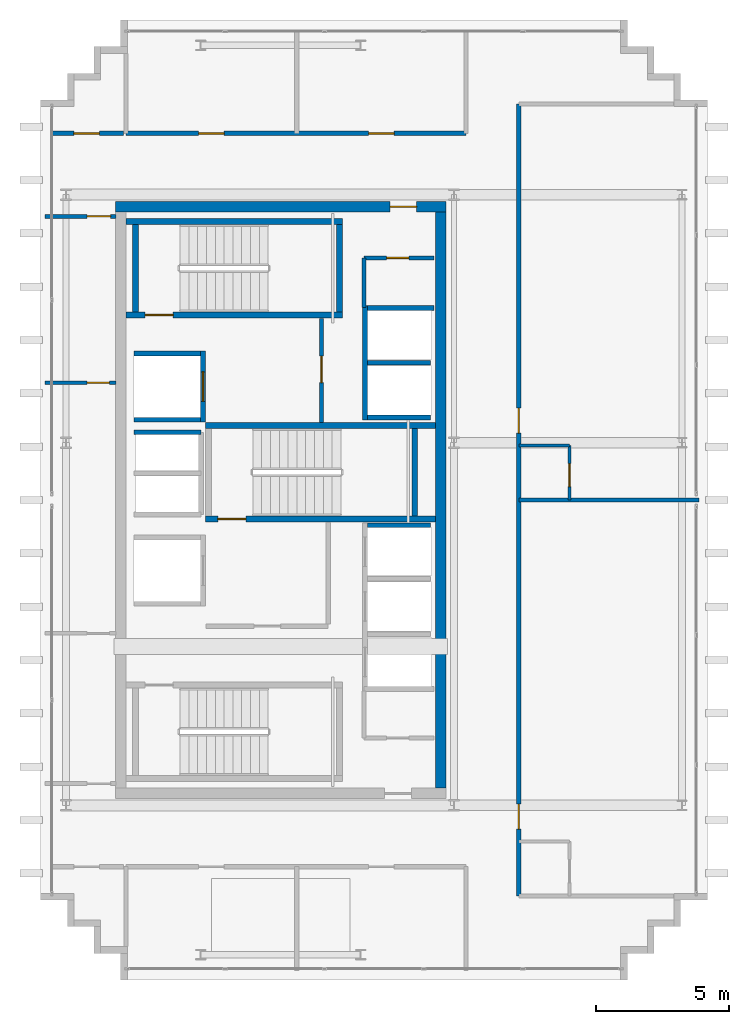
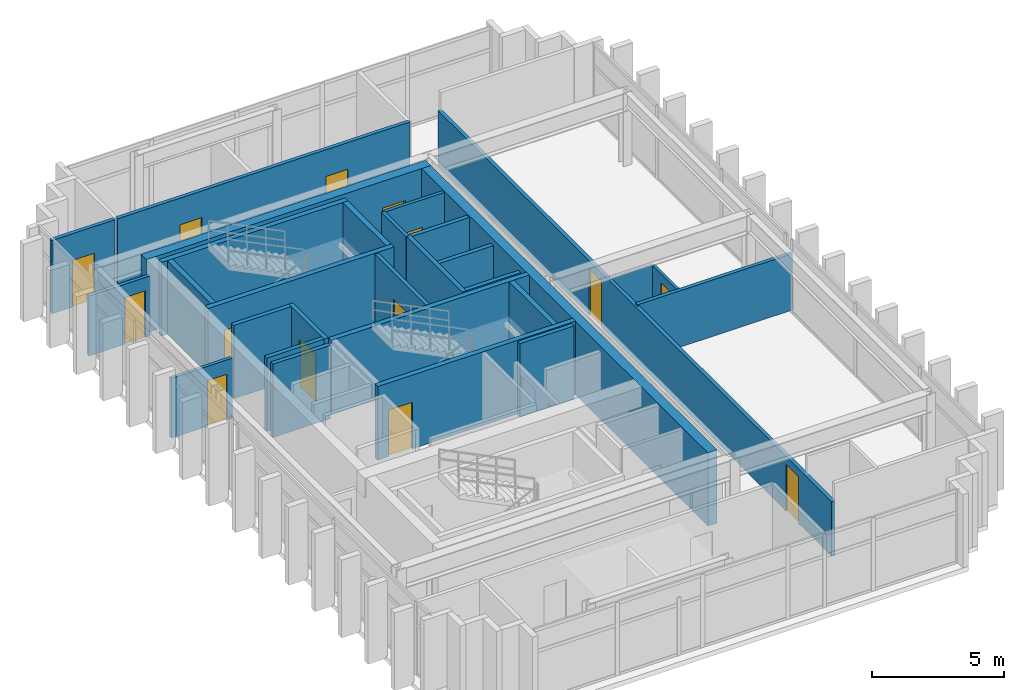
# One storey, part 13 of 15: 29 walls, 14 doors, 14 openings.
"""IFC4 building model written with IfcOpenShell, lengths in metres."""

from ifc_helpers import new_model, si_unit, direction, frame, frame_2d, origin, place, context, subcontext, project, spatial, rectangle, extrude, source, transform, mapped, material, layer, layer_set, type_object, element, fill, save


model = new_model("IFC4")

# Units and contexts
model_context = context("Model", 3, precision=1e-05, world=origin(), true_north=direction((0.0, 1.0)))
body_context = subcontext(model_context, "Body", "Model", "MODEL_VIEW")
ifc_project = project(units=[si_unit("LENGTHUNIT", "METRE"), si_unit("AREAUNIT", "SQUARE_METRE"), si_unit("VOLUMEUNIT", "CUBIC_METRE"), si_unit("PLANEANGLEUNIT", "RADIAN"), si_unit("MASSUNIT", "GRAM", prefix="KILO")], contexts=[model_context])

# Site, building, storey
site_placement = place(None, origin())
site = spatial("IfcSite", under=ifc_project, at=site_placement, CompositionType="ELEMENT")
building_placement = place(site_placement, origin())
building = spatial("IfcBuilding", under=site, at=building_placement, Name="Ocotamira Hotel", CompositionType="ELEMENT")
storey_placement = place(building_placement, frame((0.0, 0.0, 294.0)))
storey = spatial("IfcBuildingStorey", under=building, at=storey_placement, Name="L75", CompositionType="ELEMENT", Elevation=294.0)

# Wall, opening, door
ifc_material_1 = material(Name="Concrete C50/60", Category="concrete")
ifc_layer_1 = layer(ifc_material_1, 0.39990234375)
ifc_layer_set_1 = layer_set([ifc_layer_1], Name="Concrete C50/60")
wall_type_1 = type_object("IfcWallType", Name="WL-CORE-400", PredefinedType="SHEAR", material=ifc_layer_set_1)
wall_1_placement = place(storey_placement, frame((10.800048828125, 37.0, 0.0), z_axis=(0.0, 0.0, 1.0), x_axis=(1.0, 0.0, 0.0)))
wall_1 = element("IfcWall", 1, at=wall_1_placement, inside=storey, type_object=wall_type_1, Name="L75 Shear Core Wall WCORE-N", PredefinedType="SHEAR", context=body_context, shape_type="SweptSolid", body=[
    extrude(rectangle(XDim=12.39990234375, YDim=0.39990234375, at=frame_2d((6.199951171875, 0.0))), origin(), (0.0, 0.0, 1.0), 3.3798828125),
])
opening_1_placement = place(wall_1_placement, frame((10.300048828125, 0.0, 0.0)))
opening_1 = element("IfcOpeningElement", 2, at=opening_1_placement, cuts=wall_1, Name="Opening D-FR2", PredefinedType="OPENING", context=body_context, shape_type="SweptSolid", body=[
    extrude(rectangle(XDim=1.0, YDim=2.14990234375, at=frame_2d((0.5, 1.074951171875))), frame((0.0, 0.2099609375, 0.0), z_axis=(0.0, -1.0, 0.0), x_axis=(1.0, 0.0, 0.0)), (0.0, 0.0, 1.0), 0.419921875),
])
ifc_material_2 = material(Name="Fire-rated acoustic timber-veneer door", Category="wood")
door_type_1 = type_object("IfcDoorType", Name="DR-FIRE-1000", OperationType="NOTDEFINED", PredefinedType="DOOR", material=ifc_material_2)
shared_shape_1 = source(origin(), body_context, "Body", "SweptSolid", [
    extrude(rectangle(XDim=1.0, YDim=2.14990234375, at=frame_2d((0.5, 1.074951171875))), frame((0.0, 0.02490234375, 0.0), z_axis=(0.0, -1.0, 0.0), x_axis=(1.0, 0.0, 0.0)), (0.0, 0.0, 1.0), 0.050048828125),
])
door_1_placement = place(opening_1_placement, origin())
door_1 = element("IfcDoor", 3, at=door_1_placement, inside=storey, type_object=door_type_1, Name="L75 Door ID-L75-WLOB-N-D [ID-L75-WLOB-N-D]", OperationType="SINGLE_SWING_RIGHT", OverallHeight=2.14990234375, OverallWidth=1.0, PredefinedType="DOOR", context=body_context, shape_type="MappedRepresentation", body=[
    mapped(shared_shape_1, transform((0.0, 0.0, 0.0), scale=1.0)),
])
fill(opening_1, door_1)

# Wall
wall_2_placement = place(storey_placement, frame((23.0, 15.199951171875, 0.0), z_axis=(0.0, 0.0, 1.0), x_axis=(0.0, 1.0, 0.0)))
element("IfcWall", 4, at=wall_2_placement, inside=storey, type_object=wall_type_1, Name="L75 Shear Core Wall WCORE-E", PredefinedType="SHEAR", context=body_context, shape_type="SweptSolid", body=[
    extrude(rectangle(XDim=21.60009765625, YDim=0.39990234375, at=frame_2d((10.800048828125, 0.0))), origin(), (0.0, 0.0, 1.0), 3.3798828125),
])

# Wall, opening, door
ifc_material_3 = material(Name="Acoustic double-layer fire gypsum board partition", Category="gypsum")
ifc_layer_2 = layer(ifc_material_3, 0.159912109375)
ifc_layer_set_2 = layer_set([ifc_layer_2], Name="Acoustic double-layer fire gypsum board partition")
wall_type_2 = type_object("IfcWallType", Name="WL-FIRE-160", PredefinedType="PARTITIONING", material=ifc_layer_set_2)
wall_3_placement = place(storey_placement, frame((18.530029296875, 28.89990234375, 0.0), z_axis=(0.0, 0.0, 1.0), x_axis=(0.0, 1.0, 0.0)))
wall_3 = element("IfcWall", 5, at=wall_3_placement, inside=storey, type_object=wall_type_2, Name="L75 Interior Wall PW-L75-FSAE2-E", PredefinedType="PARTITIONING", context=body_context, shape_type="SweptSolid", body=[
    extrude(rectangle(XDim=3.900146484375, YDim=0.159912109375, at=frame_2d((1.9501953125, 0.0))), origin(), (0.0, 0.0, 1.0), 3.3798828125),
])
opening_2_placement = place(wall_3_placement, frame((1.5, 0.0, 0.0)))
opening_2 = element("IfcOpeningElement", 6, at=opening_2_placement, cuts=wall_3, Name="Opening D-FR2", PredefinedType="OPENING", context=body_context, shape_type="SweptSolid", body=[
    extrude(rectangle(XDim=1.0, YDim=2.14990234375, at=frame_2d((0.5, 1.074951171875))), frame((0.0, 0.08984375, 0.0), z_axis=(0.0, -1.0, 0.0), x_axis=(1.0, 0.0, 0.0)), (0.0, 0.0, 1.0), 0.179931640625),
])
door_2_placement = place(opening_2_placement, origin())
door_2 = element("IfcDoor", 7, at=door_2_placement, inside=storey, type_object=door_type_1, Name="L75 Door ID-L75-FSAE2-D [ID-L75-FSAE2-D]", OperationType="SINGLE_SWING_RIGHT", OverallHeight=2.14990234375, OverallWidth=1.0, PredefinedType="DOOR", context=body_context, shape_type="MappedRepresentation", body=[
    mapped(shared_shape_1, transform((0.0, 0.0, 0.0), scale=1.0)),
])
fill(opening_2, door_2)

# Wall, openings, doors
wall_4_placement = place(storey_placement, frame((11.199951171875, 39.75, 0.0), z_axis=(0.0, 0.0, 1.0), x_axis=(1.0, 0.0, 0.0)))
wall_4 = element("IfcWall", 8, at=wall_4_placement, inside=storey, type_object=wall_type_2, Name="L75 Interior Wall PW-L75-WP2N-CORRW", PredefinedType="PARTITIONING", context=body_context, shape_type="SweptSolid", body=[
    extrude(rectangle(XDim=12.75, YDim=0.159912109375, at=frame_2d((6.375, 0.0))), origin(), (0.0, 0.0, 1.0), 3.3798828125),
])
opening_3_placement = place(wall_4_placement, frame((2.719970703125, 0.0, 0.0)))
opening_3 = element("IfcOpeningElement", 9, at=opening_3_placement, cuts=wall_4, Name="Opening D-SV4", PredefinedType="OPENING", context=body_context, shape_type="SweptSolid", body=[
    extrude(rectangle(XDim=0.9599609375, YDim=2.14990234375, at=frame_2d((0.47998046875, 1.074951171875))), frame((0.0, 0.08984375, 0.0), z_axis=(0.0, -1.0, 0.0), x_axis=(1.0, 0.0, 0.0)), (0.0, 0.0, 1.0), 0.179931640625),
])
opening_4_placement = place(wall_4_placement, frame((9.094970703125, 0.0, 0.0)))
opening_4 = element("IfcOpeningElement", 10, at=opening_4_placement, cuts=wall_4, Name="Opening D-SV4", PredefinedType="OPENING", context=body_context, shape_type="SweptSolid", body=[
    extrude(rectangle(XDim=0.9599609375, YDim=2.14990234375, at=frame_2d((0.47998046875, 1.074951171875))), frame((0.0, 0.08984375, 0.0), z_axis=(0.0, -1.0, 0.0), x_axis=(1.0, 0.0, 0.0)), (0.0, 0.0, 1.0), 0.179931640625),
])
ifc_material_4 = material(Name="Fire-rated accessible walnut salon door", Category="wood")
door_type_2 = type_object("IfcDoorType", Name="DR-SERV-960", OperationType="NOTDEFINED", PredefinedType="DOOR", material=ifc_material_4)
shared_shape_2 = source(origin(), body_context, "Body", "SweptSolid", [
    extrude(rectangle(XDim=0.9599609375, YDim=2.14990234375, at=frame_2d((0.47998046875, 1.074951171875))), frame((0.0, 0.02490234375, 0.0), z_axis=(0.0, -1.0, 0.0), x_axis=(1.0, 0.0, 0.0)), (0.0, 0.0, 1.0), 0.050048828125),
])
door_3_placement = place(opening_3_placement, origin())
door_3 = element("IfcDoor", 11, at=door_3_placement, inside=storey, type_object=door_type_2, Name="L75 Door ID-L75-WP2N-AMD1 [ID-L75-WP2N-AMD1]", OperationType="SINGLE_SWING_LEFT", OverallHeight=2.14990234375, OverallWidth=0.9599609375, PredefinedType="DOOR", context=body_context, shape_type="MappedRepresentation", body=[
    mapped(shared_shape_2, transform((0.0, 0.0, 0.0), scale=1.0)),
])
fill(opening_3, door_3)
door_4_placement = place(opening_4_placement, origin())
door_4 = element("IfcDoor", 12, at=door_4_placement, inside=storey, type_object=door_type_2, Name="L75 Door ID-L75-WP2N-AMD2 [ID-L75-WP2N-AMD2]", OperationType="SINGLE_SWING_RIGHT", OverallHeight=2.14990234375, OverallWidth=0.9599609375, PredefinedType="DOOR", context=body_context, shape_type="MappedRepresentation", body=[
    mapped(shared_shape_2, transform((0.0, 0.0, 0.0), scale=1.0)),
])
fill(opening_4, door_4)

wall_5_placement = place(storey_placement, frame((25.929931640625, 11.14990234375, 0.0), z_axis=(0.0, 0.0, 1.0), x_axis=(0.0, 1.0, 0.0)))
wall_5 = element("IfcWall", 13, at=wall_5_placement, inside=storey, type_object=wall_type_2, Name="L75 Interior Wall PW-L75-WP-EASTW-FULL", PredefinedType="PARTITIONING", context=body_context, shape_type="SweptSolid", body=[
    extrude(rectangle(XDim=29.7001953125, YDim=0.159912109375, at=frame_2d((14.85009765625, 0.0))), origin(), (0.0, 0.0, 1.0), 2.52392578125),
])
opening_5_placement = place(wall_5_placement, frame((2.510009765625, 0.0, 0.0)))
opening_5 = element("IfcOpeningElement", 14, at=opening_5_placement, cuts=wall_5, Name="Opening D-GR1", PredefinedType="OPENING", context=body_context, shape_type="SweptSolid", body=[
    extrude(rectangle(XDim=0.93994140625, YDim=2.14990234375, at=frame_2d((0.469970703125, 1.074951171875))), frame((0.0, 0.08984375, 0.0), z_axis=(0.0, -1.0, 0.0), x_axis=(1.0, 0.0, 0.0)), (0.0, 0.0, 1.0), 0.179931640625),
])
opening_6_placement = place(wall_5_placement, frame((17.360107421875, 0.0, 0.0)))
opening_6 = element("IfcOpeningElement", 15, at=opening_6_placement, cuts=wall_5, Name="Opening D-GR1", PredefinedType="OPENING", context=body_context, shape_type="SweptSolid", body=[
    extrude(rectangle(XDim=0.93994140625, YDim=2.14990234375, at=frame_2d((0.469970703125, 1.074951171875))), frame((0.0, 0.08984375, 0.0), z_axis=(0.0, -1.0, 0.0), x_axis=(1.0, 0.0, 0.0)), (0.0, 0.0, 1.0), 0.179931640625),
])
ifc_material_5 = material(Name="Solid-core walnut suite entrance fire door", Category="wood")
door_type_3 = type_object("IfcDoorType", Name="DR-GUEST-940", OperationType="NOTDEFINED", PredefinedType="DOOR", material=ifc_material_5)
shared_shape_3 = source(origin(), body_context, "Body", "SweptSolid", [
    extrude(rectangle(XDim=0.93994140625, YDim=2.14990234375, at=frame_2d((0.469970703125, 1.074951171875))), frame((0.0, 0.02490234375, 0.0), z_axis=(0.0, -1.0, 0.0), x_axis=(1.0, 0.0, 0.0)), (0.0, 0.0, 1.0), 0.050048828125),
])
door_5_placement = place(opening_5_placement, origin())
door_5 = element("IfcDoor", 16, at=door_5_placement, inside=storey, type_object=door_type_3, Name="L75 Door ID-L75-WP-ERD1 [ID-L75-WP-ERD1]", OperationType="SINGLE_SWING_LEFT", OverallHeight=2.14990234375, OverallWidth=0.93994140625, PredefinedType="DOOR", context=body_context, shape_type="MappedRepresentation", body=[
    mapped(shared_shape_3, transform((0.0, 0.0, 0.0), scale=1.0)),
])
fill(opening_5, door_5)
door_6_placement = place(opening_6_placement, origin())
door_6 = element("IfcDoor", 17, at=door_6_placement, inside=storey, type_object=door_type_3, Name="L75 Door ID-L75-WP-ERD2 [ID-L75-WP-ERD2]", OperationType="SINGLE_SWING_RIGHT", OverallHeight=2.14990234375, OverallWidth=0.93994140625, PredefinedType="DOOR", context=body_context, shape_type="MappedRepresentation", body=[
    mapped(shared_shape_3, transform((0.0, 0.0, 0.0), scale=1.0)),
])
fill(opening_6, door_6)

# Wall, opening, door
wall_6_placement = place(storey_placement, frame((8.35009765625, 39.75, 0.0), z_axis=(0.0, 0.0, 1.0), x_axis=(1.0, 0.0, 0.0)))
wall_6 = element("IfcWall", 18, at=wall_6_placement, inside=storey, type_object=wall_type_2, Name="L75 Interior Wall PW-L75-WPCNW2-CW", PredefinedType="PARTITIONING", context=body_context, shape_type="SweptSolid", body=[
    extrude(rectangle(XDim=2.75, YDim=0.159912109375, at=frame_2d((1.375, 0.0))), origin(), (0.0, 0.0, 1.0), 3.3798828125),
])
opening_7_placement = place(wall_6_placement, frame((0.89501953125, 0.0, 0.0)))
opening_7 = element("IfcOpeningElement", 19, at=opening_7_placement, cuts=wall_6, Name="Opening D-SV4", PredefinedType="OPENING", context=body_context, shape_type="SweptSolid", body=[
    extrude(rectangle(XDim=0.9599609375, YDim=2.14990234375, at=frame_2d((0.47998046875, 1.074951171875))), frame((0.0, 0.08984375, 0.0), z_axis=(0.0, -1.0, 0.0), x_axis=(1.0, 0.0, 0.0)), (0.0, 0.0, 1.0), 0.179931640625),
])
door_7_placement = place(opening_7_placement, origin())
door_7 = element("IfcDoor", 20, at=door_7_placement, inside=storey, type_object=door_type_2, Name="L75 Door ID-L75-WPCNW2-CD [ID-L75-WPCNW2-CD]", OperationType="SINGLE_SWING_LEFT", OverallHeight=2.14990234375, OverallWidth=0.9599609375, PredefinedType="DOOR", context=body_context, shape_type="MappedRepresentation", body=[
    mapped(shared_shape_2, transform((0.0, 0.0, 0.0), scale=1.0)),
])
fill(opening_7, door_7)

ifc_material_6 = material(Name="Moisture-resistant en-suite tile and gypsum partition", Category="gypsum")
ifc_layer_3 = layer(ifc_material_6, 0.1201171875)
ifc_layer_set_3 = layer_set([ifc_layer_3], Name="Moisture-resistant en-suite tile and gypsum partition")
wall_type_3 = type_object("IfcWallType", Name="WL-PART-120", PredefinedType="PARTITIONING", material=ifc_layer_set_3)
wall_7_placement = place(storey_placement, frame((27.830078125, 26.0, 0.0), z_axis=(0.0, 0.0, 1.0), x_axis=(0.0, 1.0, 0.0)))
wall_7 = element("IfcWall", 21, at=wall_7_placement, inside=storey, type_object=wall_type_3, Name="L75 Interior Wall PW-L75-WP-EBE2", PredefinedType="PARTITIONING", context=body_context, shape_type="SweptSolid", body=[
    extrude(rectangle(XDim=2.0400390625, YDim=0.1201171875, at=frame_2d((1.02001953125, 0.0))), origin(), (0.0, 0.0, 1.0), 2.52392578125),
])
opening_8_placement = place(wall_7_placement, frame((0.5, 0.0, 0.0)))
opening_8 = element("IfcOpeningElement", 22, at=opening_8_placement, cuts=wall_7, Name="Opening D-BA1", PredefinedType="OPENING", context=body_context, shape_type="SweptSolid", body=[
    extrude(rectangle(XDim=0.860107421875, YDim=2.10009765625, at=frame_2d((0.43017578125, 1.050048828125))), frame((0.0, 0.070068359375, 0.0), z_axis=(0.0, -1.0, 0.0), x_axis=(1.0, 0.0, 0.0)), (0.0, 0.0, 1.0), 0.14013671875),
])
ifc_material_7 = material(Name="Moisture-sealed en-suite timber door", Category="wood")
door_type_4 = type_object("IfcDoorType", Name="DR-BATH-860", OperationType="NOTDEFINED", PredefinedType="DOOR", material=ifc_material_7)
shared_shape_4 = source(origin(), body_context, "Body", "SweptSolid", [
    extrude(rectangle(XDim=0.860107421875, YDim=2.10009765625, at=frame_2d((0.43017578125, 1.050048828125))), frame((0.0, 0.02490234375, 0.0), z_axis=(0.0, -1.0, 0.0), x_axis=(1.0, 0.0, 0.0)), (0.0, 0.0, 1.0), 0.050048828125),
])
door_8_placement = place(opening_8_placement, origin())
door_8 = element("IfcDoor", 23, at=door_8_placement, inside=storey, type_object=door_type_4, Name="L75 Door ID-L75-WP-EBD2 [ID-L75-WP-EBD2]", OperationType="SINGLE_SWING_LEFT", OverallHeight=2.10009765625, OverallWidth=0.860107421875, PredefinedType="DOOR", context=body_context, shape_type="MappedRepresentation", body=[
    mapped(shared_shape_4, transform((0.0, 0.0, 0.0), scale=1.0)),
])
fill(opening_8, door_8)

# Walls
wall_8_placement = place(storey_placement, frame((25.929931640625, 28.0400390625, 0.0), z_axis=(0.0, 0.0, 1.0), x_axis=(1.0, 0.0, 0.0)))
element("IfcWall", 24, at=wall_8_placement, inside=storey, type_object=wall_type_3, Name="L75 Interior Wall PW-L75-WP-EBN2", PredefinedType="PARTITIONING", context=body_context, shape_type="SweptSolid", body=[
    extrude(rectangle(XDim=1.900146484375, YDim=0.1201171875, at=frame_2d((0.9501953125, 0.0))), origin(), (0.0, 0.0, 1.0), 2.52392578125),
])
ifc_material_8 = material(Name="Acoustic hospitality gypsum board partition", Category="gypsum")
ifc_layer_4 = layer(ifc_material_8, 0.14208984375)
ifc_layer_set_4 = layer_set([ifc_layer_4], Name="Acoustic hospitality gypsum board partition")
wall_type_4 = type_object("IfcWallType", Name="WL-PART-142", PredefinedType="PARTITIONING", material=ifc_layer_set_4)
wall_9_placement = place(storey_placement, frame((20.1201171875, 33.219970703125, 0.0), z_axis=(0.0, 0.0, 1.0), x_axis=(0.0, 1.0, 0.0)))
element("IfcWall", 25, at=wall_9_placement, inside=storey, type_object=wall_type_4, Name="L75 Interior Wall PW-L75-WC-NE-W2", PredefinedType="PARTITIONING", context=body_context, shape_type="SweptSolid", body=[
    extrude(rectangle(XDim=1.860107421875, YDim=0.14208984375, at=frame_2d((0.93017578125, 0.0))), origin(), (0.0, 0.0, 1.0), 3.3798828125),
])

# Wall, opening, door
wall_10_placement = place(storey_placement, frame((20.1201171875, 35.080078125, 0.0), z_axis=(0.0, 0.0, 1.0), x_axis=(1.0, 0.0, 0.0)))
wall_10 = element("IfcWall", 26, at=wall_10_placement, inside=storey, type_object=wall_type_4, Name="L75 Interior Wall PW-L75-WC-NE-N2", PredefinedType="PARTITIONING", context=body_context, shape_type="SweptSolid", body=[
    extrude(rectangle(XDim=2.6298828125, YDim=0.14208984375, at=frame_2d((1.31494140625, 0.0))), origin(), (0.0, 0.0, 1.0), 3.3798828125),
])
opening_9_placement = place(wall_10_placement, frame((0.85009765625, 0.0, 0.0)))
opening_9 = element("IfcOpeningElement", 27, at=opening_9_placement, cuts=wall_10, Name="Opening D-SV1", PredefinedType="OPENING", context=body_context, shape_type="SweptSolid", body=[
    extrude(rectangle(XDim=0.840087890625, YDim=2.10009765625, at=frame_2d((0.419921875, 1.050048828125))), frame((0.0, 0.0810546875, 0.0), z_axis=(0.0, -1.0, 0.0), x_axis=(1.0, 0.0, 0.0)), (0.0, 0.0, 1.0), 0.162109375),
])
ifc_material_9 = material(Name="Fire-rated painted steel service door", Category="steel")
door_type_5 = type_object("IfcDoorType", Name="DR-SERV-840", OperationType="NOTDEFINED", PredefinedType="DOOR", material=ifc_material_9)
shared_shape_5 = source(origin(), body_context, "Body", "SweptSolid", [
    extrude(rectangle(XDim=0.840087890625, YDim=2.10009765625, at=frame_2d((0.419921875, 1.050048828125))), frame((0.0, 0.02490234375, 0.0), z_axis=(0.0, -1.0, 0.0), x_axis=(1.0, 0.0, 0.0)), (0.0, 0.0, 1.0), 0.050048828125),
])
door_9_placement = place(opening_9_placement, origin())
door_9 = element("IfcDoor", 28, at=door_9_placement, inside=storey, type_object=door_type_5, Name="L75 Door ID-L75-WC-NE-D2 [ID-L75-WC-NE-D2]", OperationType="SINGLE_SWING_RIGHT", OverallHeight=2.10009765625, OverallWidth=0.840087890625, PredefinedType="DOOR", context=body_context, shape_type="MappedRepresentation", body=[
    mapped(shared_shape_5, transform((0.0, 0.0, 0.0), scale=1.0)),
])
fill(opening_9, door_9)

wall_11_placement = place(storey_placement, frame((8.159912109375, 30.39990234375, 0.0), z_axis=(0.0, 0.0, 1.0), x_axis=(1.0, 0.0, 0.0)))
wall_11 = element("IfcWall", 29, at=wall_11_placement, inside=storey, type_object=wall_type_4, Name="L75 Interior Wall PW-L75-WP2W-DV2", PredefinedType="PARTITIONING", context=body_context, shape_type="SweptSolid", body=[
    extrude(rectangle(XDim=2.66015625, YDim=0.14208984375, at=frame_2d((1.330078125, 0.0))), origin(), (0.0, 0.0, 1.0), 2.762939453125),
])
opening_10_placement = place(wall_11_placement, frame((1.580078125, 0.0, 0.0)))
opening_10 = element("IfcOpeningElement", 30, at=opening_10_placement, cuts=wall_11, Name="Opening D-SV1", PredefinedType="OPENING", context=body_context, shape_type="SweptSolid", body=[
    extrude(rectangle(XDim=0.840087890625, YDim=2.10009765625, at=frame_2d((0.419921875, 1.050048828125))), frame((0.0, 0.0810546875, 0.0), z_axis=(0.0, -1.0, 0.0), x_axis=(1.0, 0.0, 0.0)), (0.0, 0.0, 1.0), 0.162109375),
])
door_10_placement = place(opening_10_placement, origin())
door_10 = element("IfcDoor", 31, at=door_10_placement, inside=storey, type_object=door_type_5, Name="L75 Door ID-L75-WP2W-DV2D [ID-L75-WP2W-DV2D]", OperationType="SINGLE_SWING_RIGHT", OverallHeight=2.10009765625, OverallWidth=0.840087890625, PredefinedType="DOOR", context=body_context, shape_type="MappedRepresentation", body=[
    mapped(shared_shape_5, transform((0.0, 0.0, 0.0), scale=1.0)),
])
fill(opening_10, door_10)

ifc_layer_5 = layer(ifc_material_8, 0.14990234375)
ifc_layer_set_5 = layer_set([ifc_layer_5], Name="Acoustic hospitality gypsum board partition")
wall_type_5 = type_object("IfcWallType", Name="WL-PART-150", PredefinedType="PARTITIONING", material=ifc_layer_set_5)
wall_12_placement = place(storey_placement, frame((8.159912109375, 36.639892578125, 0.0), z_axis=(0.0, 0.0, 1.0), x_axis=(1.0, 0.0, 0.0)))
wall_12 = element("IfcWall", 32, at=wall_12_placement, inside=storey, type_object=wall_type_5, Name="L75 Interior Wall PW-L75-WP2W-WN", PredefinedType="PARTITIONING", context=body_context, shape_type="SweptSolid", body=[
    extrude(rectangle(XDim=2.66015625, YDim=0.14990234375, at=frame_2d((1.330078125, 0.0))), origin(), (0.0, 0.0, 1.0), 2.762939453125),
])
opening_11_placement = place(wall_12_placement, frame((1.580078125, 0.0, 0.0)))
opening_11 = element("IfcOpeningElement", 33, at=opening_11_placement, cuts=wall_12, Name="Opening D-SV2", PredefinedType="OPENING", context=body_context, shape_type="SweptSolid", body=[
    extrude(rectangle(XDim=0.8798828125, YDim=2.14990234375, at=frame_2d((0.43994140625, 1.074951171875))), frame((0.0, 0.0849609375, 0.0), z_axis=(0.0, -1.0, 0.0), x_axis=(1.0, 0.0, 0.0)), (0.0, 0.0, 1.0), 0.169921875),
])
door_type_6 = type_object("IfcDoorType", Name="DR-SERV-880", OperationType="NOTDEFINED", PredefinedType="DOOR", material=ifc_material_9)
shared_shape_6 = source(origin(), body_context, "Body", "SweptSolid", [
    extrude(rectangle(XDim=0.8798828125, YDim=2.14990234375, at=frame_2d((0.43994140625, 1.074951171875))), frame((0.0, 0.02490234375, 0.0), z_axis=(0.0, -1.0, 0.0), x_axis=(1.0, 0.0, 0.0)), (0.0, 0.0, 1.0), 0.050048828125),
])
door_11_placement = place(opening_11_placement, origin())
door_11 = element("IfcDoor", 34, at=door_11_placement, inside=storey, type_object=door_type_6, Name="L75 Door ID-L75-WP2W-DN [ID-L75-WP2W-DN]", OperationType="SINGLE_SWING_RIGHT", OverallHeight=2.14990234375, OverallWidth=0.8798828125, PredefinedType="DOOR", context=body_context, shape_type="MappedRepresentation", body=[
    mapped(shared_shape_6, transform((0.0, 0.0, 0.0), scale=1.0)),
])
fill(opening_11, door_11)

# Walls
ifc_material_10 = material(Name="Acoustic double-stud hospitality gypsum partition", Category="gypsum")
ifc_layer_6 = layer(ifc_material_10, 0.159912109375)
ifc_layer_set_6 = layer_set([ifc_layer_6], Name="Acoustic double-stud hospitality gypsum partition")
wall_type_6 = type_object("IfcWallType", Name="WL-PART-160", PredefinedType="PARTITIONING", material=ifc_layer_set_6)
wall_13_placement = place(storey_placement, frame((25.929931640625, 26.0, 0.0), z_axis=(0.0, 0.0, 1.0), x_axis=(1.0, 0.0, 0.0)))
element("IfcWall", 35, at=wall_13_placement, inside=storey, type_object=wall_type_6, Name="L75 Interior Wall PW-L75-WP-EDIV1", PredefinedType="PARTITIONING", context=body_context, shape_type="SweptSolid", body=[
    extrude(rectangle(XDim=6.75, YDim=0.159912109375, at=frame_2d((3.375, 0.0))), origin(), (0.0, 0.0, 1.0), 2.60107421875),
])
ifc_material_11 = material(Name="Fire-rated gypsum shaftliner board assembly", Category="gypsum")
ifc_layer_7 = layer(ifc_material_11, 0.179931640625)
ifc_layer_set_7 = layer_set([ifc_layer_7], Name="Fire-rated gypsum shaftliner board assembly")
wall_type_7 = type_object("IfcWallType", Name="WL-SHAFT-180", PredefinedType="SOLIDWALL", material=ifc_layer_set_7)
wall_14_placement = place(storey_placement, frame((20.25, 25.050048828125, 0.0), z_axis=(0.0, 0.0, 1.0), x_axis=(1.0, 0.0, 0.0)))
element("IfcWall", 36, at=wall_14_placement, inside=storey, type_object=wall_type_7, Name="L75 Interior Wall PW-L75-LFW-BANK-high-N", PredefinedType="SOLIDWALL", context=body_context, shape_type="SweptSolid", body=[
    extrude(rectangle(XDim=2.360107421875, YDim=0.179931640625, at=frame_2d((1.18017578125, 0.0))), origin(), (0.0, 0.0, 1.0), 3.3798828125),
])
wall_15_placement = place(storey_placement, frame((20.159912109375, 29.0, 0.0), z_axis=(0.0, 0.0, 1.0), x_axis=(0.0, 1.0, 0.0)))
element("IfcWall", 37, at=wall_15_placement, inside=storey, type_object=wall_type_7, Name="L75 Interior Wall PW-L75-LFW-BANK-obs-F", PredefinedType="SOLIDWALL", context=body_context, shape_type="SweptSolid", body=[
    extrude(rectangle(XDim=4.2900390625, YDim=0.179931640625, at=frame_2d((2.14501953125, 0.0))), origin(), (0.0, 0.0, 1.0), 3.3798828125),
])
wall_16_placement = place(storey_placement, frame((20.25, 29.090087890625, 0.0), z_axis=(0.0, 0.0, 1.0), x_axis=(1.0, 0.0, 0.0)))
element("IfcWall", 38, at=wall_16_placement, inside=storey, type_object=wall_type_7, Name="L75 Interior Wall PW-L75-LFW-BANK-obs-S", PredefinedType="SOLIDWALL", context=body_context, shape_type="SweptSolid", body=[
    extrude(rectangle(XDim=2.360107421875, YDim=0.179931640625, at=frame_2d((1.18017578125, 0.0))), origin(), (0.0, 0.0, 1.0), 3.3798828125),
])
wall_17_placement = place(storey_placement, frame((20.25, 33.199951171875, 0.0), z_axis=(0.0, 0.0, 1.0), x_axis=(1.0, 0.0, 0.0)))
element("IfcWall", 39, at=wall_17_placement, inside=storey, type_object=wall_type_7, Name="L75 Interior Wall PW-L75-LFW-BANK-obs-N", PredefinedType="SOLIDWALL", context=body_context, shape_type="SweptSolid", body=[
    extrude(rectangle(XDim=2.5, YDim=0.179931640625, at=frame_2d((1.25, 0.0))), origin(), (0.0, 0.0, 1.0), 3.3798828125),
])
wall_18_placement = place(storey_placement, frame((20.25, 31.14501953125, 0.0), z_axis=(0.0, 0.0, 1.0), x_axis=(1.0, 0.0, 0.0)))
element("IfcWall", 40, at=wall_18_placement, inside=storey, type_object=wall_type_7, Name="L75 Interior Wall PW-L75-LFW-DIV-LF-OBS1", PredefinedType="SOLIDWALL", context=body_context, shape_type="SweptSolid", body=[
    extrude(rectangle(XDim=2.360107421875, YDim=0.179931640625, at=frame_2d((1.18017578125, 0.0))), origin(), (0.0, 0.0, 1.0), 3.3798828125),
])
for number, where, z_axis, x_axis, name in (
    (41, (11.5, 29.010009765625, 0.0), (0.0, 0.0, 1.0), (1.0, 0.0, 0.0), "L75 Interior Wall PW-L75-LFW-LF-FSAE2-S"),
    (42, (11.5, 31.489990234375, 0.0), (0.0, 0.0, 1.0), (1.0, 0.0, 0.0), "L75 Interior Wall PW-L75-LFW-LF-FSAE2-N"),
):
    element("IfcWall", number, at=place(storey_placement, frame(where, z_axis=z_axis, x_axis=x_axis)), inside=storey, type_object=wall_type_7, Name=name, PredefinedType="SOLIDWALL", context=body_context, shape_type="SweptSolid", body=[
        extrude(rectangle(XDim=2.5, YDim=0.179931640625, at=frame_2d((1.25, 0.0))), origin(), (0.0, 0.0, 1.0), 3.3798828125),
    ])

# Wall, opening, door
wall_19_placement = place(storey_placement, frame((14.090087890625, 28.919921875, 0.0), z_axis=(0.0, 0.0, 1.0), x_axis=(0.0, 1.0, 0.0)))
wall_19 = element("IfcWall", 43, at=wall_19_placement, inside=storey, type_object=wall_type_7, Name="L75 Interior Wall PW-L75-LFW-LF-FSAE2-E", PredefinedType="SOLIDWALL", context=body_context, shape_type="SweptSolid", body=[
    extrude(rectangle(XDim=2.66015625, YDim=0.179931640625, at=frame_2d((1.330078125, 0.0))), origin(), (0.0, 0.0, 1.0), 3.3798828125),
])
opening_12_placement = place(wall_19_placement, frame((0.780029296875, 0.0, 0.0)))
opening_12 = element("IfcOpeningElement", 44, at=opening_12_placement, cuts=wall_19, Name="Opening LD-LF-FSAE2", PredefinedType="OPENING", context=body_context, shape_type="SweptSolid", body=[
    extrude(rectangle(XDim=1.10009765625, YDim=2.199951171875, at=frame_2d((0.550048828125, 1.10009765625))), frame((0.0, 0.10009765625, 0.0), z_axis=(0.0, -1.0, 0.0), x_axis=(1.0, 0.0, 0.0)), (0.0, 0.0, 1.0), 0.199951171875),
])
ifc_material_12 = material(Name="Brushed pale-metal stainless elevator landing door", Category="steel")
door_type_7 = type_object("IfcDoorType", Name="DR-LIFT-1100", OperationType="NOTDEFINED", PredefinedType="DOOR", material=ifc_material_12)
shared_shape_7 = source(origin(), body_context, "Body", "SweptSolid", [
    extrude(rectangle(XDim=1.10009765625, YDim=2.199951171875, at=frame_2d((0.550048828125, 1.10009765625))), frame((0.0, 0.02490234375, 0.0), z_axis=(0.0, -1.0, 0.0), x_axis=(1.0, 0.0, 0.0)), (0.0, 0.0, 1.0), 0.050048828125),
])
door_12_placement = place(opening_12_placement, origin())
door_12 = element("IfcDoor", 45, at=door_12_placement, inside=storey, type_object=door_type_7, Name="L75 Landing Door LD-LF-FSAE2 [ID-L75-LD-LF-FSAE2]", OperationType="DOUBLE_DOOR_SLIDING", OverallHeight=2.199951171875, OverallWidth=1.10009765625, PredefinedType="DOOR", context=body_context, shape_type="MappedRepresentation", body=[
    mapped(shared_shape_7, transform((0.0, 0.0, 0.0), scale=1.0)),
])
fill(opening_12, door_12)

# Wall
wall_20_placement = place(storey_placement, frame((11.5, 28.5400390625, 0.0), z_axis=(0.0, 0.0, 1.0), x_axis=(1.0, 0.0, 0.0)))
element("IfcWall", 46, at=wall_20_placement, inside=storey, type_object=wall_type_7, Name="L75 Interior Wall PW-L75-RSW-N", PredefinedType="SOLIDWALL", context=body_context, shape_type="SweptSolid", body=[
    extrude(rectangle(XDim=2.510009765625, YDim=0.179931640625, at=frame_2d((1.2548828125, 0.0))), origin(), (0.0, 0.0, 1.0), 3.3798828125),
])

# Wall, opening, door
ifc_layer_8 = layer(ifc_material_1, 0.219970703125)
ifc_layer_set_8 = layer_set([ifc_layer_8], Name="Concrete C50/60")
wall_type_8 = type_object("IfcWallType", Name="WL-STAIR-220", PredefinedType="SHEAR", material=ifc_layer_set_8)
wall_21_placement = place(storey_placement, frame((11.199951171875, 32.93994140625, 0.0), z_axis=(0.0, 0.0, 1.0), x_axis=(1.0, 0.0, 0.0)))
wall_21 = element("IfcWall", 47, at=wall_21_placement, inside=storey, type_object=wall_type_8, Name="L75 Stair Shaft Structural Wall ST-2-S", PredefinedType="SHEAR", context=body_context, shape_type="SweptSolid", body=[
    extrude(rectangle(XDim=8.110107421875, YDim=0.219970703125, at=frame_2d((4.05517578125, 0.0))), origin(), (0.0, 0.0, 1.0), 3.39990234375),
])
opening_13_placement = place(wall_21_placement, frame((0.719970703125, 0.0, 0.0)))
opening_13 = element("IfcOpeningElement", 48, at=opening_13_placement, cuts=wall_21, Name="Opening D-ST2", PredefinedType="OPENING", context=body_context, shape_type="SweptSolid", body=[
    extrude(rectangle(XDim=1.050048828125, YDim=2.14990234375, at=frame_2d((0.52490234375, 1.074951171875))), frame((0.0, 0.1201171875, 0.0), z_axis=(0.0, -1.0, 0.0), x_axis=(1.0, 0.0, 0.0)), (0.0, 0.0, 1.0), 0.239990234375),
])
ifc_material_13 = material(Name="Insulated painted hollow-metal fire exit door", Category="steel")
door_type_8 = type_object("IfcDoorType", Name="DR-STAIR-1050", OperationType="NOTDEFINED", PredefinedType="DOOR", material=ifc_material_13)
shared_shape_8 = source(origin(), body_context, "Body", "SweptSolid", [
    extrude(rectangle(XDim=1.050048828125, YDim=2.14990234375, at=frame_2d((0.52490234375, 1.074951171875))), frame((0.0, 0.02490234375, 0.0), z_axis=(0.0, -1.0, 0.0), x_axis=(1.0, 0.0, 0.0)), (0.0, 0.0, 1.0), 0.050048828125),
])
door_13_placement = place(opening_13_placement, origin())
door_13 = element("IfcDoor", 49, at=door_13_placement, inside=storey, type_object=door_type_8, Name="L75 Door ID-L75-STD-ST-2 [ID-L75-STD-ST-2]", OperationType="SINGLE_SWING_LEFT", OverallHeight=2.14990234375, OverallWidth=1.050048828125, PredefinedType="DOOR", context=body_context, shape_type="MappedRepresentation", body=[
    mapped(shared_shape_8, transform((0.0, 0.0, 0.0), scale=1.0)),
])
fill(opening_13, door_13)

# Walls
wall_22_placement = place(storey_placement, frame((11.199951171875, 36.43994140625, 0.0), z_axis=(0.0, 0.0, 1.0), x_axis=(1.0, 0.0, 0.0)))
element("IfcWall", 50, at=wall_22_placement, inside=storey, type_object=wall_type_8, Name="L75 Stair Shaft Structural Wall ST-2-N", PredefinedType="SHEAR", context=body_context, shape_type="SweptSolid", body=[
    extrude(rectangle(XDim=8.110107421875, YDim=0.219970703125, at=frame_2d((4.05517578125, 0.0))), origin(), (0.0, 0.0, 1.0), 3.39990234375),
])
for number, where, z_axis, x_axis, name in (
    (51, (11.56005859375, 33.050048828125, 0.0), (0.0, 0.0, 1.0), (0.0, 1.0, 0.0), "L75 Stair Shaft Structural Wall ST-2-W"),
    (52, (19.199951171875, 33.050048828125, 0.0), (0.0, 0.0, 1.0), (0.0, 1.0, 0.0), "L75 Stair Shaft Structural Wall ST-2-E"),
):
    element("IfcWall", number, at=place(storey_placement, frame(where, z_axis=z_axis, x_axis=x_axis)), inside=storey, type_object=wall_type_8, Name=name, PredefinedType="SHEAR", context=body_context, shape_type="SweptSolid", body=[
        extrude(rectangle(XDim=3.280029296875, YDim=0.219970703125, at=frame_2d((1.64013671875, 0.0))), origin(), (0.0, 0.0, 1.0), 3.39990234375),
    ])

# Wall, opening, door
wall_23_placement = place(storey_placement, frame((14.179931640625, 25.2900390625, 0.0), z_axis=(0.0, 0.0, 1.0), x_axis=(1.0, 0.0, 0.0)))
wall_23 = element("IfcWall", 53, at=wall_23_placement, inside=storey, type_object=wall_type_8, Name="L75 Stair Shaft Structural Wall ST-3-S", PredefinedType="SHEAR", context=body_context, shape_type="SweptSolid", body=[
    extrude(rectangle(XDim=8.6201171875, YDim=0.219970703125, at=frame_2d((4.31005859375, 0.0))), origin(), (0.0, 0.0, 1.0), 3.39990234375),
])
opening_14_placement = place(wall_23_placement, frame((0.469970703125, 0.0, 0.0)))
opening_14 = element("IfcOpeningElement", 54, at=opening_14_placement, cuts=wall_23, Name="Opening D-ST2", PredefinedType="OPENING", context=body_context, shape_type="SweptSolid", body=[
    extrude(rectangle(XDim=1.050048828125, YDim=2.14990234375, at=frame_2d((0.52490234375, 1.074951171875))), frame((0.0, 0.1201171875, 0.0), z_axis=(0.0, -1.0, 0.0), x_axis=(1.0, 0.0, 0.0)), (0.0, 0.0, 1.0), 0.239990234375),
])
door_14_placement = place(opening_14_placement, origin())
door_14 = element("IfcDoor", 55, at=door_14_placement, inside=storey, type_object=door_type_8, Name="L75 Door ID-L75-STD-ST-3 [ID-L75-STD-ST-3]", OperationType="SINGLE_SWING_RIGHT", OverallHeight=2.14990234375, OverallWidth=1.050048828125, PredefinedType="DOOR", context=body_context, shape_type="MappedRepresentation", body=[
    mapped(shared_shape_8, transform((0.0, 0.0, 0.0), scale=1.0)),
])
fill(opening_14, door_14)

# Walls
wall_24_placement = place(storey_placement, frame((14.179931640625, 28.7900390625, 0.0), z_axis=(0.0, 0.0, 1.0), x_axis=(1.0, 0.0, 0.0)))
element("IfcWall", 56, at=wall_24_placement, inside=storey, type_object=wall_type_8, Name="L75 Stair Shaft Structural Wall ST-3-N", PredefinedType="SHEAR", context=body_context, shape_type="SweptSolid", body=[
    extrude(rectangle(XDim=8.6201171875, YDim=0.219970703125, at=frame_2d((4.31005859375, 0.0))), origin(), (0.0, 0.0, 1.0), 3.39990234375),
])
wall_25_placement = place(storey_placement, frame((22.030029296875, 25.39990234375, 0.0), z_axis=(0.0, 0.0, 1.0), x_axis=(0.0, 1.0, 0.0)))
element("IfcWall", 57, at=wall_25_placement, inside=storey, type_object=wall_type_8, Name="L75 Stair Shaft Structural Wall ST-3-E", PredefinedType="SHEAR", context=body_context, shape_type="SweptSolid", body=[
    extrude(rectangle(XDim=3.280029296875, YDim=0.219970703125, at=frame_2d((1.64013671875, 0.0))), origin(), (0.0, 0.0, 1.0), 3.39990234375),
])

save(model, "model.ifc")
